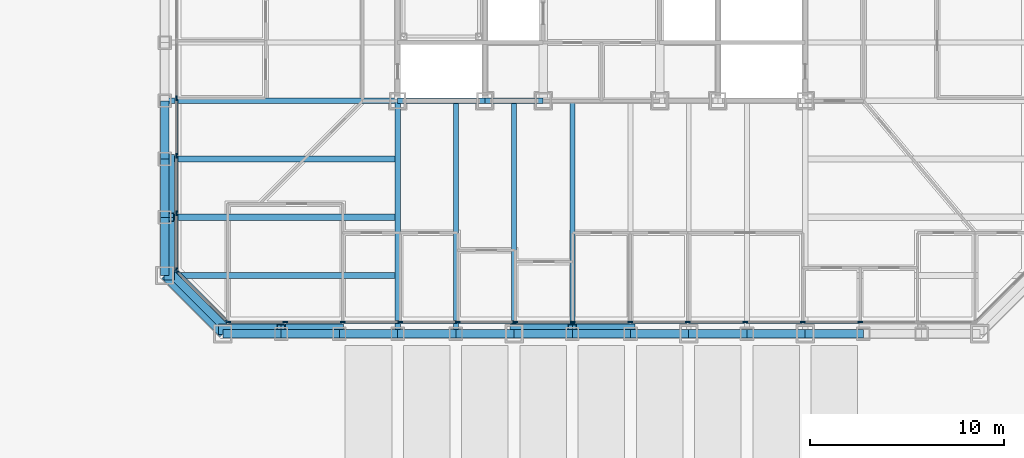
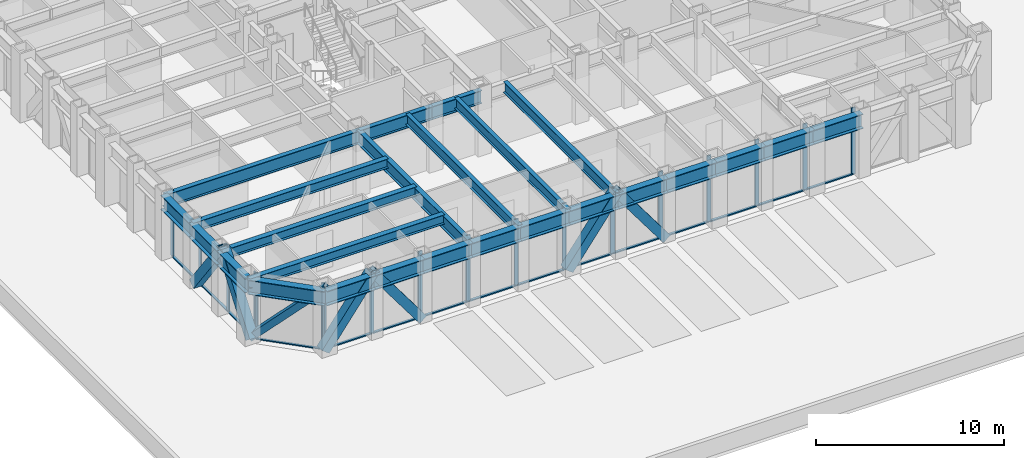
# One storey, part 2 of 18: 40 members, 25 beams, 3 elements without a shape of their own.
"""IFC4 building model written with IfcOpenShell, lengths in metres."""

from ifc_helpers import new_model, si_unit, direction, frame, origin, origin_2d, place, context, subcontext, project, spatial, rectangle, hollow_rectangle, i_section, extrude, material, layer, layer_set, material_profile, profile_set, type_object, element, aggregate, save


model = new_model("IFC4")

# Units and contexts
model_context = context("Model", 3, precision=1e-05, world=origin(), true_north=direction((0.0, 1.0)))
body_context = subcontext(model_context, "Body", "Model", "MODEL_VIEW")
ifc_project = project(units=[si_unit("LENGTHUNIT", "METRE"), si_unit("AREAUNIT", "SQUARE_METRE"), si_unit("VOLUMEUNIT", "CUBIC_METRE"), si_unit("PLANEANGLEUNIT", "RADIAN"), si_unit("MASSUNIT", "GRAM", prefix="KILO")], contexts=[model_context])

# Site, building, storey
site_placement = place(None, origin())
site = spatial("IfcSite", under=ifc_project, at=site_placement, CompositionType="ELEMENT")
building_placement = place(site_placement, origin())
building = spatial("IfcBuilding", under=site, at=building_placement, Name="Chuquiago Exchange Tower", CompositionType="ELEMENT")
storey_placement = place(building_placement, frame((0.0, 0.0, 24.300048828125)))
storey = spatial("IfcBuildingStorey", under=building, at=storey_placement, Name="L04", CompositionType="ELEMENT", Elevation=24.300048828125)

# Beams
ifc_material_1 = material(Name="Steel ASTM A992", Category="steel")
ifc_material_profile_1 = material_profile(ifc_material_1, i_section(OverallWidth=0.2919921875, OverallDepth=0.8583984375, WebThickness=0.01708984375, FlangeThickness=0.031005859375, at=origin_2d()), Name="W33X169")
ifc_profile_set_1 = profile_set([ifc_material_profile_1], Name="Steel ASTM A992")
beam_type_1 = type_object("IfcBeamType", Name="B3 W33X169", PredefinedType="BEAM", material=ifc_profile_set_1)
beam_1_placement = place(storey_placement, frame((12.0, 12.0, 3.610595703125), z_axis=(1.0, 0.0, 0.0), x_axis=(0.0, 1.0, 0.0)))
element("IfcBeam", 1, at=beam_1_placement, inside=storey, type_object=beam_type_1, Name="CB-L05-12_12-16.5_12", PredefinedType="BEAM", context=body_context, shape_type="SweptSolid", body=[
    extrude(i_section(OverallWidth=0.2919921875, OverallDepth=0.8583984375, WebThickness=0.01708984375, FlangeThickness=0.031005859375, at=origin_2d()), origin(), (0.0, 0.0, 1.0), 4.5),
])
beam_2_placement = place(storey_placement, frame((16.5, 12.0, 3.610595703125), z_axis=(1.0, 0.0, 0.0), x_axis=(0.0, 1.0, 0.0)))
element("IfcBeam", 2, at=beam_2_placement, inside=storey, type_object=beam_type_1, Name="CB-L05-16.5_12-19.5_12", PredefinedType="BEAM", context=body_context, shape_type="SweptSolid", body=[
    extrude(i_section(OverallWidth=0.2919921875, OverallDepth=0.8583984375, WebThickness=0.01708984375, FlangeThickness=0.031005859375, at=origin_2d()), origin(), (0.0, 0.0, 1.0), 3.0),
])
ifc_material_2 = material(Name="Steel ASTM A992", Category="steel")
ifc_material_profile_2 = material_profile(ifc_material_2, i_section(OverallWidth=0.256591796875, OverallDepth=0.693359375, WebThickness=0.014404296875, FlangeThickness=0.023681640625, at=origin_2d()), Name="W27X114")
ifc_profile_set_2 = profile_set([ifc_material_profile_2], Name="Steel ASTM A992")
beam_type_2 = type_object("IfcBeamType", Name="B4 W27X114", PredefinedType="BEAM", material=ifc_profile_set_2)
for number, where, z_axis, x_axis, name in (
    (3, (15.0, 12.0, 3.693359375), (0.0, -1.0, 0.0), (1.0, 0.0, 0.0), "FB-L05-infill-15_12-15_-0-0"),
    (4, (18.0, 12.0, 3.693359375), (0.0, -1.0, 0.0), (1.0, 0.0, 0.0), "FB-L05-infill-18_12-18_-0-0"),
    (5, (21.0, 12.0, 3.693359375), (0.0, -1.0, 0.0), (1.0, 0.0, 0.0), "FB-L05-infill-21_12-21_-0-0"),
):
    element("IfcBeam", number, at=place(storey_placement, frame(where, z_axis=z_axis, x_axis=x_axis)), inside=storey, type_object=beam_type_2, Name=name, PredefinedType="BEAM", context=body_context, shape_type="SweptSolid", body=[
        extrude(i_section(OverallWidth=0.256591796875, OverallDepth=0.693359375, WebThickness=0.014404296875, FlangeThickness=0.023681640625, at=origin_2d()), origin(), (0.0, 0.0, 1.0), 12.0),
    ])
ifc_material_3 = material(Name="Steel ASTM A992", Category="steel")
ifc_material_profile_3 = material_profile(ifc_material_3, i_section(OverallWidth=0.3251953125, OverallDepth=0.6171875, WebThickness=0.013916015625, FlangeThickness=0.021484375, at=origin_2d()), Name="W24X117")
ifc_profile_set_3 = profile_set([ifc_material_profile_3], Name="Steel ASTM A992")
beam_type_3 = type_object("IfcBeamType", Name="B5 W24X117", PredefinedType="BEAM", material=ifc_profile_set_3)
for number, where, z_axis, x_axis, name in (
    (6, (12.0, 3.0, 3.7314453125), (-1.0, 0.0, 0.0), (0.0, -1.0, 0.0), "FB-L05-corner-12_3--0_3-0"),
    (7, (12.0, 6.0, 3.7314453125), (-1.0, 0.0, 0.0), (0.0, -1.0, 0.0), "FB-L05-corner-12_6--0_6-0"),
    (8, (12.0, 9.0, 3.7314453125), (-1.0, 0.0, 0.0), (0.0, -1.0, 0.0), "FB-L05-corner-12_9--0_9-0"),
):
    element("IfcBeam", number, at=place(storey_placement, frame(where, z_axis=z_axis, x_axis=x_axis)), inside=storey, type_object=beam_type_3, Name=name, PredefinedType="BEAM", context=body_context, shape_type="SweptSolid", body=[
        extrude(i_section(OverallWidth=0.3251953125, OverallDepth=0.6171875, WebThickness=0.013916015625, FlangeThickness=0.021484375, at=origin_2d()), origin(), (0.0, 0.0, 1.0), 12.0),
    ])

# Curtain wall, members
ifc_material_4 = material(Name="Aluminium curtain wall system", Category="aluminium")
ifc_layer_1 = layer(ifc_material_4, 0.25)
ifc_layer_set_1 = layer_set([ifc_layer_1], Name="CW1 trading floor curtain wall")
curtain_wall_type_1 = type_object("IfcCurtainWallType", Name="CW1 trading floor curtain wall", PredefinedType="NOTDEFINED", material=ifc_layer_set_1)
curtain_wall_1_placement = place(storey_placement, origin())
curtain_wall_1 = element("IfcCurtainWall", 9, at=curtain_wall_1_placement, inside=storey, type_object=curtain_wall_type_1, Name="CW1 curtain wall L04", PredefinedType="NOTDEFINED")
ifc_material_5 = material(Name="Aluminium mullion, pale anodised", Category="aluminium")
ifc_material_profile_4 = material_profile(ifc_material_5, rectangle(XDim=0.074951171875, YDim=0.25, at=origin_2d()), Name="AL 75x250")
ifc_profile_set_4 = profile_set([ifc_material_profile_4], Name="Aluminium mullion, pale anodised")
member_type_1 = type_object("IfcMemberType", Name="CW1-M mullion 75x250", PredefinedType="MULLION", material=ifc_profile_set_4)
member_1_placement = place(storey_placement, frame((3.285888671875, 0.60009765625, -0.300048828125), z_axis=(0.0, 0.0, 1.0), x_axis=(0.0, 1.0, 0.0)))
member_1 = element("IfcMember", 10, at=member_1_placement, type_object=member_type_1, Name="CW1 mullion 1", PredefinedType="MULLION", context=body_context, shape_type="SweptSolid", body=[
    extrude(rectangle(XDim=0.074951171875, YDim=0.25, at=origin_2d()), origin(), (0.0, 0.0, 1.0), 4.340087890625),
])
member_2_placement = place(storey_placement, frame((6.210205078125, 0.60009765625, -0.300048828125), z_axis=(0.0, 0.0, 1.0), x_axis=(0.0, 1.0, 0.0)))
member_2 = element("IfcMember", 11, at=member_2_placement, type_object=member_type_1, Name="CW1 mullion 2", PredefinedType="MULLION", context=body_context, shape_type="SweptSolid", body=[
    extrude(rectangle(XDim=0.074951171875, YDim=0.25, at=origin_2d()), origin(), (0.0, 0.0, 1.0), 4.340087890625),
])
member_3_placement = place(storey_placement, frame((9.172119140625, 0.60009765625, -0.300048828125), z_axis=(0.0, 0.0, 1.0), x_axis=(0.0, 1.0, 0.0)))
member_3 = element("IfcMember", 12, at=member_3_placement, type_object=member_type_1, Name="CW1 mullion 3", PredefinedType="MULLION", context=body_context, shape_type="SweptSolid", body=[
    extrude(rectangle(XDim=0.074951171875, YDim=0.25, at=origin_2d()), origin(), (0.0, 0.0, 1.0), 4.340087890625),
])
member_4_placement = place(storey_placement, frame((12.1337890625, 0.60009765625, -0.300048828125), z_axis=(0.0, 0.0, 1.0), x_axis=(0.0, 1.0, 0.0)))
member_4 = element("IfcMember", 13, at=member_4_placement, type_object=member_type_1, Name="CW1 mullion 4", PredefinedType="MULLION", context=body_context, shape_type="SweptSolid", body=[
    extrude(rectangle(XDim=0.074951171875, YDim=0.25, at=origin_2d()), origin(), (0.0, 0.0, 1.0), 4.340087890625),
])
member_5_placement = place(storey_placement, frame((15.095458984375, 0.60009765625, -0.300048828125), z_axis=(0.0, 0.0, 1.0), x_axis=(0.0, 1.0, 0.0)))
member_5 = element("IfcMember", 14, at=member_5_placement, type_object=member_type_1, Name="CW1 mullion 5", PredefinedType="MULLION", context=body_context, shape_type="SweptSolid", body=[
    extrude(rectangle(XDim=0.074951171875, YDim=0.25, at=origin_2d()), origin(), (0.0, 0.0, 1.0), 4.340087890625),
])
member_6_placement = place(storey_placement, frame((18.057373046875, 0.60009765625, -0.300048828125), z_axis=(0.0, 0.0, 1.0), x_axis=(0.0, 1.0, 0.0)))
member_6 = element("IfcMember", 15, at=member_6_placement, type_object=member_type_1, Name="CW1 mullion 6", PredefinedType="MULLION", context=body_context, shape_type="SweptSolid", body=[
    extrude(rectangle(XDim=0.074951171875, YDim=0.25, at=origin_2d()), origin(), (0.0, 0.0, 1.0), 4.340087890625),
])
member_7_placement = place(storey_placement, frame((21.01904296875, 0.60009765625, -0.300048828125), z_axis=(0.0, 0.0, 1.0), x_axis=(0.0, 1.0, 0.0)))
member_7 = element("IfcMember", 16, at=member_7_placement, type_object=member_type_1, Name="CW1 mullion 7", PredefinedType="MULLION", context=body_context, shape_type="SweptSolid", body=[
    extrude(rectangle(XDim=0.074951171875, YDim=0.25, at=origin_2d()), origin(), (0.0, 0.0, 1.0), 4.340087890625),
])
member_8_placement = place(storey_placement, frame((23.98095703125, 0.60009765625, -0.300048828125), z_axis=(0.0, 0.0, 1.0), x_axis=(0.0, 1.0, 0.0)))
member_8 = element("IfcMember", 17, at=member_8_placement, type_object=member_type_1, Name="CW1 mullion 8", PredefinedType="MULLION", context=body_context, shape_type="SweptSolid", body=[
    extrude(rectangle(XDim=0.074951171875, YDim=0.25, at=origin_2d()), origin(), (0.0, 0.0, 1.0), 4.340087890625),
])
member_9_placement = place(storey_placement, frame((26.942626953125, 0.60009765625, -0.300048828125), z_axis=(0.0, 0.0, 1.0), x_axis=(0.0, 1.0, 0.0)))
member_9 = element("IfcMember", 18, at=member_9_placement, type_object=member_type_1, Name="CW1 mullion 9", PredefinedType="MULLION", context=body_context, shape_type="SweptSolid", body=[
    extrude(rectangle(XDim=0.074951171875, YDim=0.25, at=origin_2d()), origin(), (0.0, 0.0, 1.0), 4.340087890625),
])
member_10_placement = place(storey_placement, frame((29.904541015625, 0.60009765625, -0.300048828125), z_axis=(0.0, 0.0, 1.0), x_axis=(0.0, 1.0, 0.0)))
member_10 = element("IfcMember", 19, at=member_10_placement, type_object=member_type_1, Name="CW1 mullion 10", PredefinedType="MULLION", context=body_context, shape_type="SweptSolid", body=[
    extrude(rectangle(XDim=0.074951171875, YDim=0.25, at=origin_2d()), origin(), (0.0, 0.0, 1.0), 4.340087890625),
])
member_11_placement = place(storey_placement, frame((32.8662109375, 0.60009765625, -0.300048828125), z_axis=(0.0, 0.0, 1.0), x_axis=(0.0, 1.0, 0.0)))
member_11 = element("IfcMember", 20, at=member_11_placement, type_object=member_type_1, Name="CW1 mullion 11", PredefinedType="MULLION", context=body_context, shape_type="SweptSolid", body=[
    extrude(rectangle(XDim=0.074951171875, YDim=0.25, at=origin_2d()), origin(), (0.0, 0.0, 1.0), 4.340087890625),
])
member_12_placement = place(storey_placement, frame((35.827880859375, 0.60009765625, -0.300048828125), z_axis=(0.0, 0.0, 1.0), x_axis=(0.0, 1.0, 0.0)))
member_12 = element("IfcMember", 21, at=member_12_placement, type_object=member_type_1, Name="CW1 mullion 12", PredefinedType="MULLION", context=body_context, shape_type="SweptSolid", body=[
    extrude(rectangle(XDim=0.074951171875, YDim=0.25, at=origin_2d()), origin(), (0.0, 0.0, 1.0), 4.340087890625),
])

curtain_wall_2_placement = place(storey_placement, origin())
curtain_wall_2 = element("IfcCurtainWall", 22, at=curtain_wall_2_placement, inside=storey, type_object=curtain_wall_type_1, Name="CW1 curtain wall L04", PredefinedType="NOTDEFINED")
member_13_placement = place(storey_placement, frame((0.60009765625, 12.1337890625, -0.300048828125), z_axis=(0.0, 0.0, 1.0), x_axis=(1.0, 0.0, 0.0)))
member_13 = element("IfcMember", 23, at=member_13_placement, type_object=member_type_1, Name="CW1 mullion 11", PredefinedType="MULLION", context=body_context, shape_type="SweptSolid", body=[
    extrude(rectangle(XDim=0.074951171875, YDim=0.25, at=origin_2d()), origin(), (0.0, 0.0, 1.0), 4.340087890625),
])
member_14_placement = place(storey_placement, frame((0.60009765625, 9.172119140625, -0.300048828125), z_axis=(0.0, 0.0, 1.0), x_axis=(1.0, 0.0, 0.0)))
member_14 = element("IfcMember", 24, at=member_14_placement, type_object=member_type_1, Name="CW1 mullion 12", PredefinedType="MULLION", context=body_context, shape_type="SweptSolid", body=[
    extrude(rectangle(XDim=0.074951171875, YDim=0.25, at=origin_2d()), origin(), (0.0, 0.0, 1.0), 4.340087890625),
])
member_15_placement = place(storey_placement, frame((0.60009765625, 6.210205078125, -0.300048828125), z_axis=(0.0, 0.0, 1.0), x_axis=(1.0, 0.0, 0.0)))
member_15 = element("IfcMember", 25, at=member_15_placement, type_object=member_type_1, Name="CW1 mullion 13", PredefinedType="MULLION", context=body_context, shape_type="SweptSolid", body=[
    extrude(rectangle(XDim=0.074951171875, YDim=0.25, at=origin_2d()), origin(), (0.0, 0.0, 1.0), 4.340087890625),
])
member_16_placement = place(storey_placement, frame((0.60009765625, 3.285888671875, -0.300048828125), z_axis=(0.0, 0.0, 1.0), x_axis=(1.0, 0.0, 0.0)))
member_16 = element("IfcMember", 26, at=member_16_placement, type_object=member_type_1, Name="CW1 mullion 14", PredefinedType="MULLION", context=body_context, shape_type="SweptSolid", body=[
    extrude(rectangle(XDim=0.074951171875, YDim=0.25, at=origin_2d()), origin(), (0.0, 0.0, 1.0), 4.340087890625),
])

# Member
ifc_material_6 = material(Name="Aluminium transom, pale anodised", Category="aluminium")
ifc_material_profile_5 = material_profile(ifc_material_6, rectangle(XDim=0.14990234375, YDim=0.074951171875, at=origin_2d()), Name="AL 150x75")
ifc_profile_set_5 = profile_set([ifc_material_profile_5], Name="Aluminium transom, pale anodised")
member_type_2 = type_object("IfcMemberType", Name="CW1-T transom 75x150", PredefinedType="MULLION", material=ifc_profile_set_5)
member_17_placement = place(storey_placement, frame((3.323486328125, 0.60009765625, -0.262451171875), z_axis=(1.0, 0.0, 0.0), x_axis=(0.0, 1.0, 0.0)))
member_17 = element("IfcMember", 27, at=member_17_placement, type_object=member_type_2, Name="CW1 transom 1.1", PredefinedType="MULLION", context=body_context, shape_type="SweptSolid", body=[
    extrude(rectangle(XDim=0.14990234375, YDim=0.074951171875, at=origin_2d()), origin(), (0.0, 0.0, 1.0), 2.849365234375),
])

member_18_placement = place(storey_placement, frame((6.247802734375, 0.60009765625, -0.262451171875), z_axis=(1.0, 0.0, 0.0), x_axis=(0.0, 1.0, 0.0)))
member_18 = element("IfcMember", 28, at=member_18_placement, type_object=member_type_2, Name="CW1 transom 2.1", PredefinedType="MULLION", context=body_context, shape_type="SweptSolid", body=[
    extrude(rectangle(XDim=0.14990234375, YDim=0.074951171875, at=origin_2d()), origin(), (0.0, 0.0, 1.0), 2.88671875),
])

member_19_placement = place(storey_placement, frame((9.20947265625, 0.60009765625, -0.262451171875), z_axis=(1.0, 0.0, 0.0), x_axis=(0.0, 1.0, 0.0)))
member_19 = element("IfcMember", 29, at=member_19_placement, type_object=member_type_2, Name="CW1 transom 3.1", PredefinedType="MULLION", context=body_context, shape_type="SweptSolid", body=[
    extrude(rectangle(XDim=0.14990234375, YDim=0.074951171875, at=origin_2d()), origin(), (0.0, 0.0, 1.0), 2.88671875),
])

member_20_placement = place(storey_placement, frame((12.17138671875, 0.60009765625, -0.262451171875), z_axis=(1.0, 0.0, 0.0), x_axis=(0.0, 1.0, 0.0)))
member_20 = element("IfcMember", 30, at=member_20_placement, type_object=member_type_2, Name="CW1 transom 4.1", PredefinedType="MULLION", context=body_context, shape_type="SweptSolid", body=[
    extrude(rectangle(XDim=0.14990234375, YDim=0.074951171875, at=origin_2d()), origin(), (0.0, 0.0, 1.0), 2.88671875),
])

member_21_placement = place(storey_placement, frame((15.133056640625, 0.60009765625, -0.262451171875), z_axis=(1.0, 0.0, 0.0), x_axis=(0.0, 1.0, 0.0)))
member_21 = element("IfcMember", 31, at=member_21_placement, type_object=member_type_2, Name="CW1 transom 5.1", PredefinedType="MULLION", context=body_context, shape_type="SweptSolid", body=[
    extrude(rectangle(XDim=0.14990234375, YDim=0.074951171875, at=origin_2d()), origin(), (0.0, 0.0, 1.0), 2.88671875),
])

member_22_placement = place(storey_placement, frame((18.0947265625, 0.60009765625, -0.262451171875), z_axis=(1.0, 0.0, 0.0), x_axis=(0.0, 1.0, 0.0)))
member_22 = element("IfcMember", 32, at=member_22_placement, type_object=member_type_2, Name="CW1 transom 6.1", PredefinedType="MULLION", context=body_context, shape_type="SweptSolid", body=[
    extrude(rectangle(XDim=0.14990234375, YDim=0.074951171875, at=origin_2d()), origin(), (0.0, 0.0, 1.0), 2.886962890625),
])

member_23_placement = place(storey_placement, frame((21.056640625, 0.60009765625, -0.262451171875), z_axis=(1.0, 0.0, 0.0), x_axis=(0.0, 1.0, 0.0)))
member_23 = element("IfcMember", 33, at=member_23_placement, type_object=member_type_2, Name="CW1 transom 7.1", PredefinedType="MULLION", context=body_context, shape_type="SweptSolid", body=[
    extrude(rectangle(XDim=0.14990234375, YDim=0.074951171875, at=origin_2d()), origin(), (0.0, 0.0, 1.0), 2.88671875),
])

member_24_placement = place(storey_placement, frame((24.018310546875, 0.60009765625, -0.262451171875), z_axis=(1.0, 0.0, 0.0), x_axis=(0.0, 1.0, 0.0)))
member_24 = element("IfcMember", 34, at=member_24_placement, type_object=member_type_2, Name="CW1 transom 8.1", PredefinedType="MULLION", context=body_context, shape_type="SweptSolid", body=[
    extrude(rectangle(XDim=0.14990234375, YDim=0.074951171875, at=origin_2d()), origin(), (0.0, 0.0, 1.0), 2.886962890625),
])

member_25_placement = place(storey_placement, frame((26.980224609375, 0.60009765625, -0.262451171875), z_axis=(1.0, 0.0, 0.0), x_axis=(0.0, 1.0, 0.0)))
member_25 = element("IfcMember", 35, at=member_25_placement, type_object=member_type_2, Name="CW1 transom 9.1", PredefinedType="MULLION", context=body_context, shape_type="SweptSolid", body=[
    extrude(rectangle(XDim=0.14990234375, YDim=0.074951171875, at=origin_2d()), origin(), (0.0, 0.0, 1.0), 2.88671875),
])

member_26_placement = place(storey_placement, frame((29.94189453125, 0.60009765625, -0.262451171875), z_axis=(1.0, 0.0, 0.0), x_axis=(0.0, 1.0, 0.0)))
member_26 = element("IfcMember", 36, at=member_26_placement, type_object=member_type_2, Name="CW1 transom 10.1", PredefinedType="MULLION", context=body_context, shape_type="SweptSolid", body=[
    extrude(rectangle(XDim=0.14990234375, YDim=0.074951171875, at=origin_2d()), origin(), (0.0, 0.0, 1.0), 2.88671875),
])

member_27_placement = place(storey_placement, frame((32.90380859375, 0.60009765625, -0.262451171875), z_axis=(1.0, 0.0, 0.0), x_axis=(0.0, 1.0, 0.0)))
member_27 = element("IfcMember", 37, at=member_27_placement, type_object=member_type_2, Name="CW1 transom 11.1", PredefinedType="MULLION", context=body_context, shape_type="SweptSolid", body=[
    extrude(rectangle(XDim=0.14990234375, YDim=0.074951171875, at=origin_2d()), origin(), (0.0, 0.0, 1.0), 2.88671875),
])

aggregate(curtain_wall_1, [member_1, member_2, member_3, member_4, member_5, member_6, member_7, member_8, member_9, member_10, member_11, member_12, member_17, member_18, member_19, member_20, member_21, member_22, member_23, member_24, member_25, member_26, member_27])

member_28_placement = place(storey_placement, frame((0.60009765625, 12.09619140625, -0.262451171875), z_axis=(0.0, -1.0, 0.0), x_axis=(1.0, 0.0, 0.0)))
member_28 = element("IfcMember", 38, at=member_28_placement, type_object=member_type_2, Name="CW1 transom 11.1", PredefinedType="MULLION", context=body_context, shape_type="SweptSolid", body=[
    extrude(rectangle(XDim=0.14990234375, YDim=0.074951171875, at=origin_2d()), origin(), (0.0, 0.0, 1.0), 2.88671875),
])

member_29_placement = place(storey_placement, frame((0.60009765625, 9.134521484375, -0.262451171875), z_axis=(0.0, -1.0, 0.0), x_axis=(1.0, 0.0, 0.0)))
member_29 = element("IfcMember", 39, at=member_29_placement, type_object=member_type_2, Name="CW1 transom 12.1", PredefinedType="MULLION", context=body_context, shape_type="SweptSolid", body=[
    extrude(rectangle(XDim=0.14990234375, YDim=0.074951171875, at=origin_2d()), origin(), (0.0, 0.0, 1.0), 2.88671875),
])

member_30_placement = place(storey_placement, frame((0.60009765625, 6.1728515625, -0.262451171875), z_axis=(0.0, -1.0, 0.0), x_axis=(1.0, 0.0, 0.0)))
member_30 = element("IfcMember", 40, at=member_30_placement, type_object=member_type_2, Name="CW1 transom 13.1", PredefinedType="MULLION", context=body_context, shape_type="SweptSolid", body=[
    extrude(rectangle(XDim=0.14990234375, YDim=0.074951171875, at=origin_2d()), origin(), (0.0, 0.0, 1.0), 2.849365234375),
])

aggregate(curtain_wall_2, [member_13, member_14, member_15, member_16, member_28, member_29, member_30])

# Curtain wall, members
ifc_material_7 = material(Name="Aluminium curtain wall system", Category="aluminium")
ifc_layer_2 = layer(ifc_material_7, 0.199951171875)
ifc_layer_set_2 = layer_set([ifc_layer_2], Name="CW3 facet curtain wall")
curtain_wall_type_2 = type_object("IfcCurtainWallType", Name="CW3 facet curtain wall", PredefinedType="NOTDEFINED", material=ifc_layer_set_2)
curtain_wall_3_placement = place(storey_placement, origin())
curtain_wall_3 = element("IfcCurtainWall", 41, at=curtain_wall_3_placement, inside=storey, type_object=curtain_wall_type_2, Name="CW3 curtain wall L04", PredefinedType="NOTDEFINED")
ifc_material_8 = material(Name="Aluminium mullion, pale anodised", Category="aluminium")
ifc_material_profile_6 = material_profile(ifc_material_8, rectangle(XDim=0.06494140625, YDim=0.199951171875, at=origin_2d()), Name="AL 65x200")
ifc_profile_set_6 = profile_set([ifc_material_profile_6], Name="Aluminium mullion, pale anodised")
member_type_3 = type_object("IfcMemberType", Name="CW3-M mullion 65x200", PredefinedType="MULLION", material=ifc_profile_set_6)
member_31_placement = place(storey_placement, frame((0.623046875, 3.2255859375, -0.300048828125), z_axis=(0.0, 0.0, 1.0), x_axis=(0.707106781187, 0.707106781187, 0.0)))
member_31 = element("IfcMember", 42, at=member_31_placement, type_object=member_type_3, Name="CW3 mullion 1", PredefinedType="MULLION", context=body_context, shape_type="SweptSolid", body=[
    extrude(rectangle(XDim=0.06494140625, YDim=0.199951171875, at=origin_2d()), origin(), (0.0, 0.0, 1.0), 4.340087890625),
])
member_32_placement = place(storey_placement, frame((3.2255859375, 0.623046875, -0.300048828125), z_axis=(0.0, 0.0, 1.0), x_axis=(0.707106781187, 0.707106781187, 0.0)))
member_32 = element("IfcMember", 43, at=member_32_placement, type_object=member_type_3, Name="CW3 mullion 2", PredefinedType="MULLION", context=body_context, shape_type="SweptSolid", body=[
    extrude(rectangle(XDim=0.06494140625, YDim=0.199951171875, at=origin_2d()), origin(), (0.0, 0.0, 1.0), 4.340087890625),
])
ifc_material_9 = material(Name="Aluminium transom, pale anodised", Category="aluminium")
ifc_material_profile_7 = material_profile(ifc_material_9, rectangle(XDim=0.139892578125, YDim=0.06494140625, at=origin_2d()), Name="AL 140x65")
ifc_profile_set_7 = profile_set([ifc_material_profile_7], Name="Aluminium transom, pale anodised")
member_type_4 = type_object("IfcMemberType", Name="CW3-T transom 65x140", PredefinedType="MULLION", material=ifc_profile_set_7)
member_33_placement = place(storey_placement, frame((0.64599609375, 3.20263671875, -0.267578125), z_axis=(0.707106781187, -0.707106781187, 0.0), x_axis=(0.707106781187, 0.707106781187, 0.0)))
member_33 = element("IfcMember", 44, at=member_33_placement, type_object=member_type_4, Name="CW3 transom 1.1", PredefinedType="MULLION", context=body_context, shape_type="SweptSolid", body=[
    extrude(rectangle(XDim=0.139892578125, YDim=0.06494140625, at=origin_2d()), origin(), (0.0, 0.0, 1.0), 3.61572265625),
])
aggregate(curtain_wall_3, [member_31, member_32, member_33])

# Beams
ifc_material_10 = material(Name="Steel ASTM A992", Category="steel")
ifc_material_profile_8 = material_profile(ifc_material_10, i_section(OverallWidth=0.2919921875, OverallDepth=0.8583984375, WebThickness=0.01708984375, FlangeThickness=0.031005859375, at=origin_2d()), Name="W33X169")
ifc_profile_set_8 = profile_set([ifc_material_profile_8], Name="Steel ASTM A992")
beam_type_4 = type_object("IfcBeamType", Name="G2 W33X169", PredefinedType="BEAM", material=ifc_profile_set_8)
for number, where, z_axis, x_axis, name in (
    (45, (12.0, 12.0, 3.610595703125), (0.0, -1.0, 0.0), (1.0, 0.0, 0.0), "FB-L05-girder-12_12-12_-0-0"),
    (46, (12.0, 12.0, 3.610595703125), (-1.0, 0.0, 0.0), (0.0, -1.0, 0.0), "FB-L05-girder-12_12--0_12-0"),
):
    element("IfcBeam", number, at=place(storey_placement, frame(where, z_axis=z_axis, x_axis=x_axis)), inside=storey, type_object=beam_type_4, Name=name, PredefinedType="BEAM", context=body_context, shape_type="SweptSolid", body=[
        extrude(i_section(OverallWidth=0.2919921875, OverallDepth=0.8583984375, WebThickness=0.01708984375, FlangeThickness=0.031005859375, at=origin_2d()), origin(), (0.0, 0.0, 1.0), 12.0),
    ])

# Members
ifc_material_11 = material(Name="Steel ASTM A500 Grade C", Category="steel")
ifc_material_profile_9 = material_profile(ifc_material_11, hollow_rectangle(XDim=0.406494140625, YDim=0.406494140625, WallThickness=0.0146484375, at=origin_2d()), Name="HSS16X16X5/8")
ifc_profile_set_9 = profile_set([ifc_material_profile_9], Name="Steel ASTM A500 Grade C")
member_type_5 = type_object("IfcMemberType", Name="LB4 HSS16X16X5/8", PredefinedType="BRACE", material=ifc_profile_set_9)
member_34_placement = place(storey_placement, frame((0.21337890625, 3.21337890625, 0.0), z_axis=(0.512077265487, -0.512077265487, 0.689604051861), x_axis=(0.707106781187, 0.707106781187, 0.0)))
element("IfcMember", 47, at=member_34_placement, inside=storey, type_object=member_type_5, Name="LB-L04-0_3-3_0", PredefinedType="BRACE", context=body_context, shape_type="SweptSolid", body=[
    extrude(hollow_rectangle(XDim=0.406494140625, YDim=0.406494140625, WallThickness=0.0146484375, at=origin_2d()), origin(), (0.0, 0.0, 1.0), 5.8583984375),
])
ifc_material_12 = material(Name="Steel ASTM A572 Grade 50", Category="steel")
ifc_material_profile_10 = material_profile(ifc_material_12, hollow_rectangle(XDim=0.550048828125, YDim=0.550048828125, WallThickness=0.044921875, at=origin_2d()), Name="BOX550X550X45")
ifc_profile_set_10 = profile_set([ifc_material_profile_10], Name="Steel ASTM A572 Grade 50")
member_type_6 = type_object("IfcMemberType", Name="MB1 BOX550X550X45", PredefinedType="BRACE", material=ifc_profile_set_10)
for number, where, z_axis, x_axis, name in (
    (48, (3.0, 0.22998046875, 0.0), (0.596173923302, 0.0, 0.802855312728), (0.0, 1.0, 0.0), "Mega diagonal L04 S face"),
    (49, (9.0, 0.22998046875, 0.0), (-0.596173923302, 0.0, 0.802855312728), (0.0, -1.0, 0.0), "Mega diagonal L04 S face"),
    (50, (18.0, 0.22998046875, 0.0), (0.596173923302, 0.0, 0.802855312728), (0.0, 1.0, 0.0), "Mega diagonal L04 S face"),
    (51, (24.0, 0.22998046875, 0.0), (-0.596173923302, 0.0, 0.802855312728), (0.0, -1.0, 0.0), "Mega diagonal L04 S face"),
    (52, (0.22998046875, 9.0, 0.0), (0.0, -0.596173923302, 0.802855312728), (1.0, 0.0, 0.0), "Mega diagonal L04 W face"),
    (53, (0.22998046875, 3.0, 0.0), (0.0, 0.596173923302, 0.802855312728), (-1.0, 0.0, 0.0), "Mega diagonal L04 W face"),
):
    element("IfcMember", number, at=place(storey_placement, frame(where, z_axis=z_axis, x_axis=x_axis)), inside=storey, type_object=member_type_6, Name=name, PredefinedType="BRACE", context=body_context, shape_type="SweptSolid", body=[
        extrude(hollow_rectangle(XDim=0.550048828125, YDim=0.550048828125, WallThickness=0.044921875, at=origin_2d()), origin(), (0.0, 0.0, 1.0), 5.031982421875),
    ])

# Beams
ifc_material_13 = material(Name="Steel ASTM A992", Category="steel")
ifc_material_profile_11 = material_profile(ifc_material_13, i_section(OverallWidth=0.424072265625, OverallDepth=0.947509765625, WebThickness=0.02392578125, FlangeThickness=0.042724609375, at=origin_2d()), Name="W36X302")
ifc_profile_set_11 = profile_set([ifc_material_profile_11], Name="Steel ASTM A992")
beam_type_5 = type_object("IfcBeamType", Name="SP1 W36X302", PredefinedType="SPANDREL", material=ifc_profile_set_11)
for number, where, z_axis, x_axis, name in (
    (54, (3.0, 0.0, 3.566162109375), (1.0, 0.0, 0.0), (0.0, 1.0, 0.0), "SPB-L05-3_0-6_0"),
    (55, (6.0, 0.0, 3.566162109375), (1.0, 0.0, 0.0), (0.0, 1.0, 0.0), "SPB-L05-6_0-9_0"),
    (56, (9.0, 0.0, 3.566162109375), (1.0, 0.0, 0.0), (0.0, 1.0, 0.0), "SPB-L05-9_0-12_0"),
    (57, (12.0, 0.0, 3.566162109375), (1.0, 0.0, 0.0), (0.0, 1.0, 0.0), "SPB-L05-12_0-15_0"),
    (58, (15.0, 0.0, 3.566162109375), (1.0, 0.0, 0.0), (0.0, 1.0, 0.0), "SPB-L05-15_0-18_0"),
    (59, (18.0, 0.0, 3.566162109375), (1.0, 0.0, 0.0), (0.0, 1.0, 0.0), "SPB-L05-18_0-21_0"),
    (60, (21.0, 0.0, 3.566162109375), (1.0, 0.0, 0.0), (0.0, 1.0, 0.0), "SPB-L05-21_0-24_0"),
    (61, (24.0, 0.0, 3.566162109375), (1.0, 0.0, 0.0), (0.0, 1.0, 0.0), "SPB-L05-24_0-27_0"),
    (62, (27.0, 0.0, 3.566162109375), (1.0, 0.0, 0.0), (0.0, 1.0, 0.0), "SPB-L05-27_0-30_0"),
    (63, (30.0, 0.0, 3.566162109375), (1.0, 0.0, 0.0), (0.0, 1.0, 0.0), "SPB-L05-30_0-33_0"),
    (64, (33.0, 0.0, 3.566162109375), (1.0, 0.0, 0.0), (0.0, 1.0, 0.0), "SPB-L05-33_0-36_0"),
    (65, (0.0, 12.0, 3.566162109375), (0.0, -1.0, 0.0), (1.0, 0.0, 0.0), "SPB-L05-0_12-0_9"),
    (66, (0.0, 9.0, 3.566162109375), (0.0, -1.0, 0.0), (1.0, 0.0, 0.0), "SPB-L05-0_9-0_6"),
    (67, (0.0, 6.0, 3.566162109375), (0.0, -1.0, 0.0), (1.0, 0.0, 0.0), "SPB-L05-0_6-0_3"),
):
    element("IfcBeam", number, at=place(storey_placement, frame(where, z_axis=z_axis, x_axis=x_axis)), inside=storey, type_object=beam_type_5, Name=name, PredefinedType="SPANDREL", context=body_context, shape_type="SweptSolid", body=[
        extrude(i_section(OverallWidth=0.424072265625, OverallDepth=0.947509765625, WebThickness=0.02392578125, FlangeThickness=0.042724609375, at=origin_2d()), origin(), (0.0, 0.0, 1.0), 3.0),
    ])
beam_3_placement = place(storey_placement, frame((0.0, 3.0, 3.566162109375), z_axis=(0.707106781187, -0.707106781187, 0.0), x_axis=(0.707106781187, 0.707106781187, 0.0)))
element("IfcBeam", 68, at=beam_3_placement, inside=storey, type_object=beam_type_5, Name="SPB-L05-0_3-3_0", PredefinedType="SPANDREL", context=body_context, shape_type="SweptSolid", body=[
    extrude(i_section(OverallWidth=0.424072265625, OverallDepth=0.947509765625, WebThickness=0.02392578125, FlangeThickness=0.042724609375, at=origin_2d()), origin(), (0.0, 0.0, 1.0), 4.24267578125),
])

save(model, "model.ifc")
